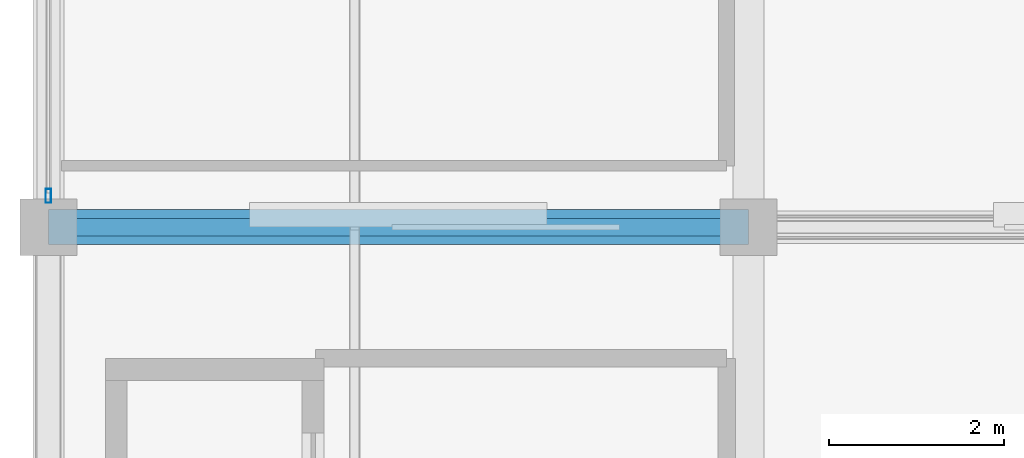
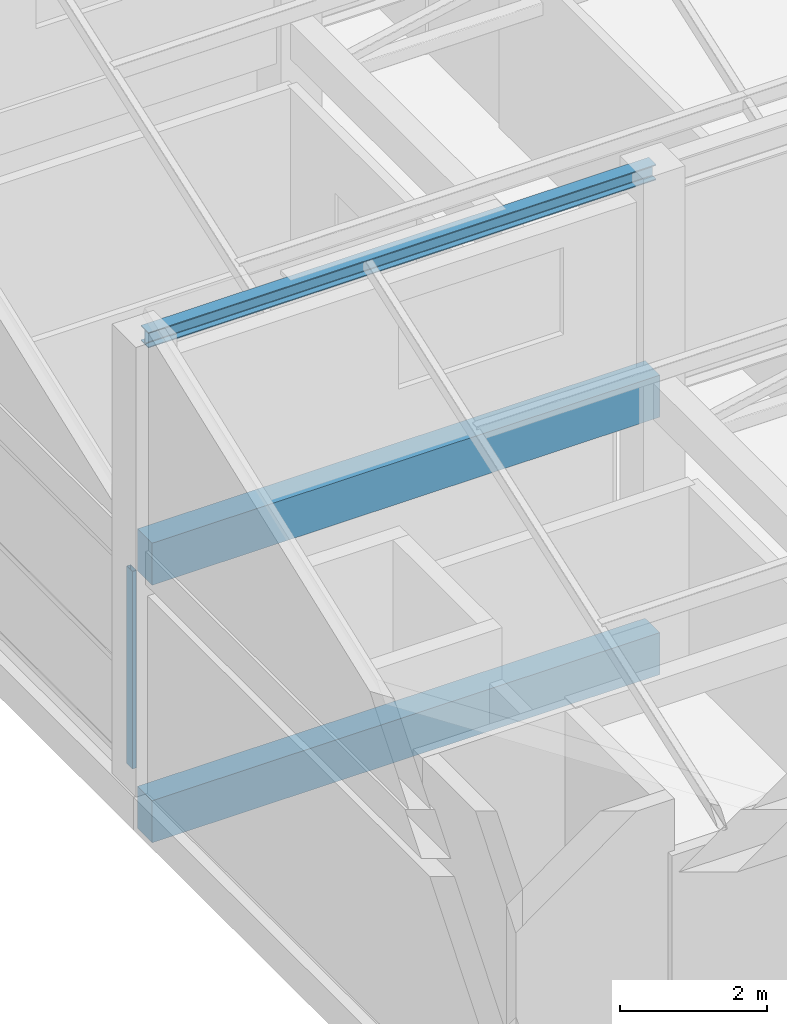
# One storey, part 3 of 35: 3 beams, 1 member, 1 element without a shape of its own.
"""IFC4 building model written with IfcOpenShell, lengths in metres."""

from ifc_helpers import new_model, si_unit, direction, frame, origin, origin_2d, place, context, subcontext, project, spatial, rectangle, hollow_rectangle, i_section, extrude, material, layer, layer_set, material_profile, profile_set, type_object, element, aggregate, save


model = new_model("IFC4")

# Units and contexts
model_context = context("Model", 3, precision=1e-05, world=origin(), true_north=direction((0.0, 1.0)))
body_context = subcontext(model_context, "Body", "Model", "MODEL_VIEW")
ifc_project = project(units=[si_unit("LENGTHUNIT", "METRE"), si_unit("AREAUNIT", "SQUARE_METRE"), si_unit("VOLUMEUNIT", "CUBIC_METRE"), si_unit("PLANEANGLEUNIT", "RADIAN"), si_unit("MASSUNIT", "GRAM", prefix="KILO")], contexts=[model_context])

# Site, building, storey
site_placement = place(None, origin())
site = spatial("IfcSite", under=ifc_project, at=site_placement, CompositionType="ELEMENT")
building_placement = place(site_placement, origin())
building = spatial("IfcBuilding", under=site, at=building_placement, Name="Sillaruma Civic Art Gallery", CompositionType="ELEMENT")
storey_placement = place(building_placement, frame((0.0, 0.0, 74.4599609375)))
storey = spatial("IfcBuildingStorey", under=building, at=storey_placement, Name="L15", CompositionType="ELEMENT", Elevation=74.4599609375)

# Beams
ifc_material_1 = material(Name="Concrete H35 (35 MPa)", Category="concrete")
ifc_material_profile_1 = material_profile(ifc_material_1, rectangle(XDim=0.39990234375, YDim=0.699951171875, at=origin_2d()), Name="RCB400x700")
ifc_profile_set_1 = profile_set([ifc_material_profile_1], Name="Concrete H35 (35 MPa)")
beam_type_1 = type_object("IfcBeamType", Name="BM-BEAM-RCB400x700", PredefinedType="BEAM", material=ifc_profile_set_1)
beam_1_placement = place(storey_placement, frame((62.0, 49.5, -0.599853515625), z_axis=(1.0, 0.0, 0.0), x_axis=(0.0, 1.0, 0.0)))
element("IfcBeam", 1, at=beam_1_placement, inside=storey, type_object=beam_type_1, Name="Beam BM-04 (L14:6:F-G)", PredefinedType="BEAM", context=body_context, shape_type="SweptSolid", body=[
    extrude(rectangle(XDim=0.39990234375, YDim=0.699951171875, at=origin_2d()), origin(), (0.0, 0.0, 1.0), 8.0),
])
ifc_material_profile_2 = material_profile(ifc_material_1, rectangle(XDim=0.39990234375, YDim=0.699951171875, at=origin_2d()), Name="RCB400x700")
ifc_profile_set_2 = profile_set([ifc_material_profile_2], Name="Concrete H35 (35 MPa)")
beam_type_2 = type_object("IfcBeamType", Name="BM-ROF-RCB400x700", PredefinedType="BEAM", material=ifc_profile_set_2)
beam_2_placement = place(storey_placement, frame((62.0, 49.5, 3.68994140625), z_axis=(1.0, 0.0, 0.0), x_axis=(0.0, 1.0, 0.0)))
element("IfcBeam", 2, at=beam_2_placement, inside=storey, type_object=beam_type_2, Name="Beam BRF-04 (L15:6:F-G)", PredefinedType="BEAM", context=body_context, shape_type="SweptSolid", body=[
    extrude(rectangle(XDim=0.39990234375, YDim=0.699951171875, at=origin_2d()), origin(), (0.0, 0.0, 1.0), 8.0),
])
ifc_material_2 = material(Name="Structural Steel ASTM A992 Gr.50", Category="steel")
ifc_material_profile_3 = material_profile(ifc_material_2, i_section(OverallWidth=0.2041015625, OverallDepth=0.257080078125, WebThickness=0.0087890625, FlangeThickness=0.015625, FilletRadius=0.012939453125, at=origin_2d()), Name="W250x67")
ifc_profile_set_3 = profile_set([ifc_material_profile_3], Name="Structural Steel ASTM A992 Gr.50")
beam_type_3 = type_object("IfcBeamType", Name="BM-SAW-W250x67", PredefinedType="BEAM", material=ifc_profile_set_3)
beam_3_placement = place(storey_placement, frame((62.0, 49.5, 7.360107421875), z_axis=(1.0, 0.0, 0.0), x_axis=(0.0, 1.0, 0.0)))
element("IfcBeam", 3, at=beam_3_placement, inside=storey, type_object=beam_type_3, Name="Sawtooth Ridge Steel Girder (1-FG)", PredefinedType="BEAM", context=body_context, shape_type="SweptSolid", body=[
    extrude(i_section(OverallWidth=0.2041015625, OverallDepth=0.257080078125, WebThickness=0.0087890625, FlangeThickness=0.015625, FilletRadius=0.012939453125, at=origin_2d()), origin(), (0.0, 0.0, 1.0), 8.0),
])

# Curtain wall, member
ifc_material_3 = material(Name="Thermally Broken Extruded Aluminium 6063-T6", Category="aluminium")
ifc_layer = layer(ifc_material_3, 0.159912109375, Name="Thermally Broken Extruded Aluminium 6063-T6")
ifc_layer_set = layer_set([ifc_layer], Name="Thermally Broken Extruded Aluminium 6063-T6")
curtain_wall_type = type_object("IfcCurtainWallType", Name="CW-UNI-111", PredefinedType="NOTDEFINED", material=ifc_layer_set)
curtain_wall_placement = place(storey_placement, origin())
curtain_wall = element("IfcCurtainWall", 4, at=curtain_wall_placement, inside=storey, type_object=curtain_wall_type, Name="Unitised Curtain Wall CW-111 (CW-L15-WBW-4)", PredefinedType="NOTDEFINED")
ifc_material_profile_4 = material_profile(ifc_material_3, hollow_rectangle(XDim=0.06494140625, YDim=0.159912109375, WallThickness=0.00390625, at=origin_2d()), Name="CWM65x160")
ifc_profile_set_4 = profile_set([ifc_material_profile_4], Name="Thermally Broken Extruded Aluminium 6063-T6")
member_type = type_object("IfcMemberType", Name="MEM-MUL-CWM65x160", PredefinedType="MULLION", material=ifc_profile_set_4)
member_placement = place(storey_placement, frame((62.0, 49.857421875, 0.0), z_axis=(0.0, 0.0, 1.0), x_axis=(-1.0, 0.0, 0.0)))
member = element("IfcMember", 5, at=member_placement, type_object=member_type, Name="CW-111 mullion 1", PredefinedType="MULLION", context=body_context, shape_type="SweptSolid", body=[
    extrude(hollow_rectangle(XDim=0.06494140625, YDim=0.159912109375, WallThickness=0.00390625, at=origin_2d()), origin(), (0.0, 0.0, 1.0), 3.2900390625),
])
aggregate(curtain_wall, [member])

save(model, "model.ifc")
